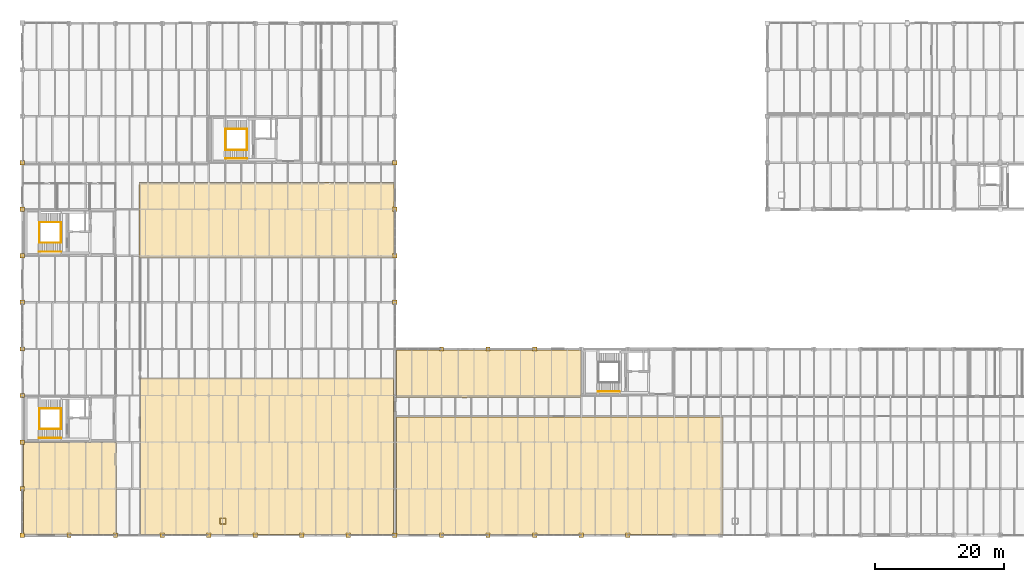
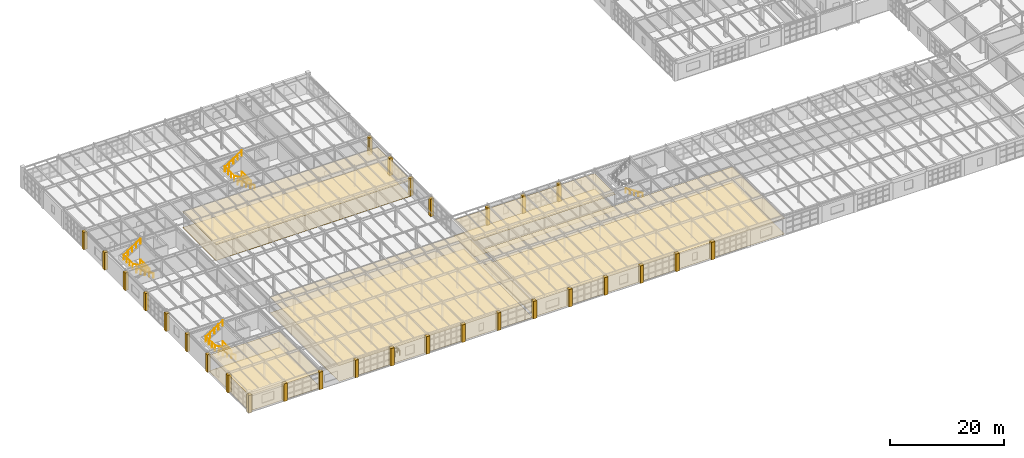
# One storey, part 134 of 137: 39 coverings, 11 railings.
"""IFC4 building model written with IfcOpenShell, lengths in metres."""

from ifc_helpers import new_model, si_unit, direction, frame, origin, origin_2d, place, context, subcontext, project, spatial, polyline, circle, outline, extrude, material, layer, layer_set, type_object, element, save


model = new_model("IFC4")

# Units and contexts
model_context = context("Model", 3, precision=1e-05, world=origin(), true_north=direction((0.0, 1.0)))
body_context = subcontext(model_context, "Body", "Model", "MODEL_VIEW")
ifc_project = project(units=[si_unit("LENGTHUNIT", "METRE"), si_unit("AREAUNIT", "SQUARE_METRE"), si_unit("VOLUMEUNIT", "CUBIC_METRE"), si_unit("PLANEANGLEUNIT", "RADIAN"), si_unit("MASSUNIT", "GRAM", prefix="KILO")], contexts=[model_context])

# Site, building, storey
site_placement = place(None, origin())
site = spatial("IfcSite", under=ifc_project, at=site_placement, CompositionType="ELEMENT")
building_placement = place(site_placement, origin())
building = spatial("IfcBuilding", under=site, at=building_placement, Name="Kemerveld Promenade Tramway Depot", CompositionType="ELEMENT")
storey_placement = place(building_placement, frame((0.0, 0.0, 5.39990234375)))
storey = spatial("IfcBuildingStorey", under=building, at=storey_placement, Name="L01", CompositionType="ELEMENT", Elevation=5.39990234375)

# Coverings
ifc_material_1 = material(Name="Perforated mineral-fibre acoustic ceiling")
ifc_layer_1 = layer(ifc_material_1, 0.02490234375)
ifc_layer_set_1 = layer_set([ifc_layer_1], Name="COV-CEIL-AC")
covering_type_1 = type_object("IfcCoveringType", Name="COV-CEIL-AC", PredefinedType="CEILING", material=ifc_layer_set_1)
covering_1_placement = place(storey_placement, frame((0.0, 0.0, 3.35498046875)))
element("IfcCovering", 1, at=covering_1_placement, inside=storey, type_object=covering_type_1, Name="CEIL-RM-L01-V4-GAL1", PredefinedType="CEILING", context=body_context, shape_type="SweptSolid", body=[
    extrude(outline(polyline([(57.824951171875, 0.14990234375), (108.35009765625, 0.14990234375), (108.35009765625, 18.320068359375), (57.824951171875, 18.320068359375), (57.824951171875, 0.14990234375)])), origin(), (0.0, 0.0, 1.0), 0.025146484375),
])
covering_2_placement = place(storey_placement, frame((0.0, 0.0, 3.35498046875)))
element("IfcCovering", 2, at=covering_2_placement, inside=storey, type_object=covering_type_1, Name="CEIL-RM-L01-V4-EDU", PredefinedType="CEILING", context=body_context, shape_type="SweptSolid", body=[
    extrude(outline(polyline([(57.824951171875, 21.25), (86.35009765625, 21.25), (86.35009765625, 28.64990234375), (57.824951171875, 28.64990234375), (57.824951171875, 21.25)])), origin(), (0.0, 0.0, 1.0), 0.025146484375),
])
covering_3_placement = place(storey_placement, frame((0.0, 0.0, 3.35498046875)))
element("IfcCovering", 3, at=covering_3_placement, inside=storey, type_object=covering_type_1, Name="CEIL-RM-L01-V5-CANT", PredefinedType="CEILING", context=body_context, shape_type="SweptSolid", body=[
    extrude(outline(polyline([(18.264892578125, 0.14990234375), (57.375, 0.14990234375), (57.375, 24.35009765625), (18.264892578125, 24.35009765625), (18.264892578125, 0.14990234375)])), origin(), (0.0, 0.0, 1.0), 0.025146484375),
])
covering_4_placement = place(storey_placement, frame((0.0, 0.0, 3.35498046875)))
element("IfcCovering", 4, at=covering_4_placement, inside=storey, type_object=covering_type_1, Name="CEIL-RM-L01-V5-CKIT", PredefinedType="CEILING", context=body_context, shape_type="SweptSolid", body=[
    extrude(outline(polyline([(0.14990234375, 0.14990234375), (14.550048828125, 0.14990234375), (14.550048828125, 14.35009765625), (0.14990234375, 14.35009765625), (0.14990234375, 0.14990234375)])), origin(), (0.0, 0.0, 1.0), 0.025146484375),
])
covering_5_placement = place(storey_placement, frame((0.0, 0.0, 3.35498046875)))
element("IfcCovering", 5, at=covering_5_placement, inside=storey, type_object=covering_type_1, Name="CEIL-RM-L01-V5-SCHED", PredefinedType="CEILING", context=body_context, shape_type="SweptSolid", body=[
    extrude(outline(polyline([(18.050048828125, 42.85009765625), (57.449951171875, 42.85009765625), (57.449951171875, 54.550048828125), (18.050048828125, 54.550048828125), (18.050048828125, 42.85009765625)])), origin(), (0.0, 0.0, 1.0), 0.025146484375),
])
ifc_material_2 = material(Name="Dressed Harare granite ashlar cladding", Category="masonry")
ifc_layer_2 = layer(ifc_material_2, 0.050048828125)
ifc_layer_set_2 = layer_set([ifc_layer_2], Name="COV-CLAD-GRAN")
covering_type_2 = type_object("IfcCoveringType", Name="COV-CLAD-GRAN", PredefinedType="CLADDING", material=ifc_layer_set_2)
covering_6_placement = place(storey_placement, origin())
element("IfcCovering", 6, at=covering_6_placement, inside=storey, type_object=covering_type_2, Name="CLAD-PIER-L01-189", PredefinedType="CLADDING", context=body_context, shape_type="SweptSolid", body=[
    extrude(outline(polyline([(-0.340087890625, 6.860107421875), (0.340087890625, 6.860107421875), (0.340087890625, 7.5400390625), (-0.340087890625, 7.5400390625), (-0.340087890625, 6.860107421875)])), origin(), (0.0, 0.0, 1.0), 3.75),
])
covering_7_placement = place(storey_placement, origin())
element("IfcCovering", 7, at=covering_7_placement, inside=storey, type_object=covering_type_2, Name="CLAD-PIER-L01-190", PredefinedType="CLADDING", context=body_context, shape_type="SweptSolid", body=[
    extrude(outline(polyline([(-0.340087890625, 14.06005859375), (0.340087890625, 14.06005859375), (0.340087890625, 14.739990234375), (-0.340087890625, 14.739990234375), (-0.340087890625, 14.06005859375)])), origin(), (0.0, 0.0, 1.0), 3.75),
])
covering_8_placement = place(storey_placement, origin())
element("IfcCovering", 8, at=covering_8_placement, inside=storey, type_object=covering_type_2, Name="CLAD-PIER-L01-191", PredefinedType="CLADDING", context=body_context, shape_type="SweptSolid", body=[
    extrude(outline(polyline([(-0.340087890625, 21.260009765625), (0.340087890625, 21.260009765625), (0.340087890625, 21.93994140625), (-0.340087890625, 21.93994140625), (-0.340087890625, 21.260009765625)])), origin(), (0.0, 0.0, 1.0), 3.75),
])
covering_9_placement = place(storey_placement, origin())
element("IfcCovering", 9, at=covering_9_placement, inside=storey, type_object=covering_type_2, Name="CLAD-PIER-L01-192", PredefinedType="CLADDING", context=body_context, shape_type="SweptSolid", body=[
    extrude(outline(polyline([(-0.340087890625, 28.4599609375), (0.340087890625, 28.4599609375), (0.340087890625, 29.139892578125), (-0.340087890625, 29.139892578125), (-0.340087890625, 28.4599609375)])), origin(), (0.0, 0.0, 1.0), 3.75),
])
covering_10_placement = place(storey_placement, origin())
element("IfcCovering", 10, at=covering_10_placement, inside=storey, type_object=covering_type_2, Name="CLAD-PIER-L01-193", PredefinedType="CLADDING", context=body_context, shape_type="SweptSolid", body=[
    extrude(outline(polyline([(-0.340087890625, 35.659912109375), (0.340087890625, 35.659912109375), (0.340087890625, 36.340087890625), (-0.340087890625, 36.340087890625), (-0.340087890625, 35.659912109375)])), origin(), (0.0, 0.0, 1.0), 3.75),
])
covering_11_placement = place(storey_placement, origin())
element("IfcCovering", 11, at=covering_11_placement, inside=storey, type_object=covering_type_2, Name="CLAD-PIER-L01-194", PredefinedType="CLADDING", context=body_context, shape_type="SweptSolid", body=[
    extrude(outline(polyline([(-0.340087890625, 42.860107421875), (0.340087890625, 42.860107421875), (0.340087890625, 43.5400390625), (-0.340087890625, 43.5400390625), (-0.340087890625, 42.860107421875)])), origin(), (0.0, 0.0, 1.0), 3.75),
])
covering_12_placement = place(storey_placement, origin())
element("IfcCovering", 12, at=covering_12_placement, inside=storey, type_object=covering_type_2, Name="CLAD-PIER-L01-195", PredefinedType="CLADDING", context=body_context, shape_type="SweptSolid", body=[
    extrude(outline(polyline([(-0.340087890625, 50.06005859375), (0.340087890625, 50.06005859375), (0.340087890625, 50.739990234375), (-0.340087890625, 50.739990234375), (-0.340087890625, 50.06005859375)])), origin(), (0.0, 0.0, 1.0), 3.75),
])
covering_13_placement = place(storey_placement, origin())
element("IfcCovering", 13, at=covering_13_placement, inside=storey, type_object=covering_type_2, Name="CLAD-PIER-L01-196", PredefinedType="CLADDING", context=body_context, shape_type="SweptSolid", body=[
    extrude(outline(polyline([(-0.340087890625, 57.260009765625), (0.340087890625, 57.260009765625), (0.340087890625, 57.93994140625), (-0.340087890625, 57.93994140625), (-0.340087890625, 57.260009765625)])), origin(), (0.0, 0.0, 1.0), 3.75),
])
covering_14_placement = place(storey_placement, origin())
element("IfcCovering", 14, at=covering_14_placement, inside=storey, type_object=covering_type_2, Name="CLAD-PIER-L01-209", PredefinedType="CLADDING", context=body_context, shape_type="SweptSolid", body=[
    extrude(outline(polyline([(57.260009765625, 57.260009765625), (57.93994140625, 57.260009765625), (57.93994140625, 57.93994140625), (57.260009765625, 57.93994140625), (57.260009765625, 57.260009765625)])), origin(), (0.0, 0.0, 1.0), 3.75),
])
covering_15_placement = place(storey_placement, origin())
element("IfcCovering", 15, at=covering_15_placement, inside=storey, type_object=covering_type_2, Name="CLAD-PIER-L01-210", PredefinedType="CLADDING", context=body_context, shape_type="SweptSolid", body=[
    extrude(outline(polyline([(57.260009765625, 50.06005859375), (57.93994140625, 50.06005859375), (57.93994140625, 50.739990234375), (57.260009765625, 50.739990234375), (57.260009765625, 50.06005859375)])), origin(), (0.0, 0.0, 1.0), 3.75),
])
covering_16_placement = place(storey_placement, origin())
element("IfcCovering", 16, at=covering_16_placement, inside=storey, type_object=covering_type_2, Name="CLAD-PIER-L01-211", PredefinedType="CLADDING", context=body_context, shape_type="SweptSolid", body=[
    extrude(outline(polyline([(57.260009765625, 42.860107421875), (57.93994140625, 42.860107421875), (57.93994140625, 43.5400390625), (57.260009765625, 43.5400390625), (57.260009765625, 42.860107421875)])), origin(), (0.0, 0.0, 1.0), 3.75),
])
covering_17_placement = place(storey_placement, origin())
element("IfcCovering", 17, at=covering_17_placement, inside=storey, type_object=covering_type_2, Name="CLAD-PIER-L01-212", PredefinedType="CLADDING", context=body_context, shape_type="SweptSolid", body=[
    extrude(outline(polyline([(57.260009765625, 35.659912109375), (57.93994140625, 35.659912109375), (57.93994140625, 36.340087890625), (57.260009765625, 36.340087890625), (57.260009765625, 35.659912109375)])), origin(), (0.0, 0.0, 1.0), 3.75),
])
covering_18_placement = place(storey_placement, origin())
element("IfcCovering", 18, at=covering_18_placement, inside=storey, type_object=covering_type_2, Name="CLAD-PIER-L01-213", PredefinedType="CLADDING", context=body_context, shape_type="SweptSolid", body=[
    extrude(outline(polyline([(50.06005859375, -0.340087890625), (50.739990234375, -0.340087890625), (50.739990234375, 0.340087890625), (50.06005859375, 0.340087890625), (50.06005859375, -0.340087890625)])), origin(), (0.0, 0.0, 1.0), 3.75),
])
covering_19_placement = place(storey_placement, origin())
element("IfcCovering", 19, at=covering_19_placement, inside=storey, type_object=covering_type_2, Name="CLAD-PIER-L01-214", PredefinedType="CLADDING", context=body_context, shape_type="SweptSolid", body=[
    extrude(outline(polyline([(42.860107421875, -0.340087890625), (43.5400390625, -0.340087890625), (43.5400390625, 0.340087890625), (42.860107421875, 0.340087890625), (42.860107421875, -0.340087890625)])), origin(), (0.0, 0.0, 1.0), 3.75),
])
covering_20_placement = place(storey_placement, origin())
element("IfcCovering", 20, at=covering_20_placement, inside=storey, type_object=covering_type_2, Name="CLAD-PIER-L01-215", PredefinedType="CLADDING", context=body_context, shape_type="SweptSolid", body=[
    extrude(outline(polyline([(35.659912109375, -0.340087890625), (36.340087890625, -0.340087890625), (36.340087890625, 0.340087890625), (35.659912109375, 0.340087890625), (35.659912109375, -0.340087890625)])), origin(), (0.0, 0.0, 1.0), 3.75),
])
covering_21_placement = place(storey_placement, origin())
element("IfcCovering", 21, at=covering_21_placement, inside=storey, type_object=covering_type_2, Name="CLAD-PIER-L01-216", PredefinedType="CLADDING", context=body_context, shape_type="SweptSolid", body=[
    extrude(outline(polyline([(28.4599609375, -0.340087890625), (29.139892578125, -0.340087890625), (29.139892578125, 0.340087890625), (28.4599609375, 0.340087890625), (28.4599609375, -0.340087890625)])), origin(), (0.0, 0.0, 1.0), 3.75),
])
covering_22_placement = place(storey_placement, origin())
element("IfcCovering", 22, at=covering_22_placement, inside=storey, type_object=covering_type_2, Name="CLAD-PIER-L01-217", PredefinedType="CLADDING", context=body_context, shape_type="SweptSolid", body=[
    extrude(outline(polyline([(21.260009765625, -0.340087890625), (21.93994140625, -0.340087890625), (21.93994140625, 0.340087890625), (21.260009765625, 0.340087890625), (21.260009765625, -0.340087890625)])), origin(), (0.0, 0.0, 1.0), 3.75),
])
covering_23_placement = place(storey_placement, origin())
element("IfcCovering", 23, at=covering_23_placement, inside=storey, type_object=covering_type_2, Name="CLAD-PIER-L01-218", PredefinedType="CLADDING", context=body_context, shape_type="SweptSolid", body=[
    extrude(outline(polyline([(14.06005859375, -0.340087890625), (14.739990234375, -0.340087890625), (14.739990234375, 0.340087890625), (14.06005859375, 0.340087890625), (14.06005859375, -0.340087890625)])), origin(), (0.0, 0.0, 1.0), 3.75),
])
covering_24_placement = place(storey_placement, origin())
element("IfcCovering", 24, at=covering_24_placement, inside=storey, type_object=covering_type_2, Name="CLAD-PIER-L01-219", PredefinedType="CLADDING", context=body_context, shape_type="SweptSolid", body=[
    extrude(outline(polyline([(6.860107421875, -0.340087890625), (7.5400390625, -0.340087890625), (7.5400390625, 0.340087890625), (6.860107421875, 0.340087890625), (6.860107421875, -0.340087890625)])), origin(), (0.0, 0.0, 1.0), 3.75),
])
covering_25_placement = place(storey_placement, origin())
element("IfcCovering", 25, at=covering_25_placement, inside=storey, type_object=covering_type_2, Name="CLAD-PIER-L01-220", PredefinedType="CLADDING", context=body_context, shape_type="SweptSolid", body=[
    extrude(outline(polyline([(-0.340087890625, -0.340087890625), (0.340087890625, -0.340087890625), (0.340087890625, 0.340087890625), (-0.340087890625, 0.340087890625), (-0.340087890625, -0.340087890625)])), origin(), (0.0, 0.0, 1.0), 3.75),
])
covering_26_placement = place(storey_placement, origin())
element("IfcCovering", 26, at=covering_26_placement, inside=storey, type_object=covering_type_2, Name="CLAD-PIER-L01-229", PredefinedType="CLADDING", context=body_context, shape_type="SweptSolid", body=[
    extrude(outline(polyline([(93.260009765625, -0.340087890625), (93.93994140625, -0.340087890625), (93.93994140625, 0.340087890625), (93.260009765625, 0.340087890625), (93.260009765625, -0.340087890625)])), origin(), (0.0, 0.0, 1.0), 3.75),
])
covering_27_placement = place(storey_placement, origin())
element("IfcCovering", 27, at=covering_27_placement, inside=storey, type_object=covering_type_2, Name="CLAD-PIER-L01-230", PredefinedType="CLADDING", context=body_context, shape_type="SweptSolid", body=[
    extrude(outline(polyline([(86.06005859375, -0.340087890625), (86.739990234375, -0.340087890625), (86.739990234375, 0.340087890625), (86.06005859375, 0.340087890625), (86.06005859375, -0.340087890625)])), origin(), (0.0, 0.0, 1.0), 3.75),
])
covering_28_placement = place(storey_placement, origin())
element("IfcCovering", 28, at=covering_28_placement, inside=storey, type_object=covering_type_2, Name="CLAD-PIER-L01-231", PredefinedType="CLADDING", context=body_context, shape_type="SweptSolid", body=[
    extrude(outline(polyline([(78.860107421875, -0.340087890625), (79.5400390625, -0.340087890625), (79.5400390625, 0.340087890625), (78.860107421875, 0.340087890625), (78.860107421875, -0.340087890625)])), origin(), (0.0, 0.0, 1.0), 3.75),
])
covering_29_placement = place(storey_placement, origin())
element("IfcCovering", 29, at=covering_29_placement, inside=storey, type_object=covering_type_2, Name="CLAD-PIER-L01-232", PredefinedType="CLADDING", context=body_context, shape_type="SweptSolid", body=[
    extrude(outline(polyline([(71.659912109375, -0.340087890625), (72.340087890625, -0.340087890625), (72.340087890625, 0.340087890625), (71.659912109375, 0.340087890625), (71.659912109375, -0.340087890625)])), origin(), (0.0, 0.0, 1.0), 3.75),
])
covering_30_placement = place(storey_placement, origin())
element("IfcCovering", 30, at=covering_30_placement, inside=storey, type_object=covering_type_2, Name="CLAD-PIER-L01-233", PredefinedType="CLADDING", context=body_context, shape_type="SweptSolid", body=[
    extrude(outline(polyline([(64.4599609375, -0.340087890625), (65.139892578125, -0.340087890625), (65.139892578125, 0.340087890625), (64.4599609375, 0.340087890625), (64.4599609375, -0.340087890625)])), origin(), (0.0, 0.0, 1.0), 3.75),
])
covering_31_placement = place(storey_placement, origin())
element("IfcCovering", 31, at=covering_31_placement, inside=storey, type_object=covering_type_2, Name="CLAD-PIER-L01-234", PredefinedType="CLADDING", context=body_context, shape_type="SweptSolid", body=[
    extrude(outline(polyline([(57.260009765625, -0.340087890625), (57.93994140625, -0.340087890625), (57.93994140625, 0.340087890625), (57.260009765625, 0.340087890625), (57.260009765625, -0.340087890625)])), origin(), (0.0, 0.0, 1.0), 3.75),
])
covering_32_placement = place(storey_placement, origin())
element("IfcCovering", 32, at=covering_32_placement, inside=storey, type_object=covering_type_2, Name="CLAD-PIER-L01-235", PredefinedType="CLADDING", context=body_context, shape_type="SweptSolid", body=[
    extrude(outline(polyline([(64.4599609375, 28.4599609375), (65.139892578125, 28.4599609375), (65.139892578125, 29.139892578125), (64.4599609375, 29.139892578125), (64.4599609375, 28.4599609375)])), origin(), (0.0, 0.0, 1.0), 3.75),
])
covering_33_placement = place(storey_placement, origin())
element("IfcCovering", 33, at=covering_33_placement, inside=storey, type_object=covering_type_2, Name="CLAD-PIER-L01-236", PredefinedType="CLADDING", context=body_context, shape_type="SweptSolid", body=[
    extrude(outline(polyline([(71.659912109375, 28.4599609375), (72.340087890625, 28.4599609375), (72.340087890625, 29.139892578125), (71.659912109375, 29.139892578125), (71.659912109375, 28.4599609375)])), origin(), (0.0, 0.0, 1.0), 3.75),
])
covering_34_placement = place(storey_placement, origin())
element("IfcCovering", 34, at=covering_34_placement, inside=storey, type_object=covering_type_2, Name="CLAD-PIER-L01-237", PredefinedType="CLADDING", context=body_context, shape_type="SweptSolid", body=[
    extrude(outline(polyline([(78.860107421875, 28.4599609375), (79.5400390625, 28.4599609375), (79.5400390625, 29.139892578125), (78.860107421875, 29.139892578125), (78.860107421875, 28.4599609375)])), origin(), (0.0, 0.0, 1.0), 3.75),
])
ifc_material_3 = material(Name="Honed Harare granite terrazzo flooring", Category="masonry")
ifc_layer_3 = layer(ifc_material_3, 0.02001953125)
ifc_layer_set_3 = layer_set([ifc_layer_3], Name="COV-FLR-TERR")
covering_type_3 = type_object("IfcCoveringType", Name="COV-FLR-TERR", PredefinedType="FLOORING", material=ifc_layer_set_3)
covering_35_placement = place(storey_placement, origin())
element("IfcCovering", 35, at=covering_35_placement, inside=storey, type_object=covering_type_3, Name="FLR-RM-L01-V4-GAL1", PredefinedType="FLOORING", context=body_context, shape_type="SweptSolid", body=[
    extrude(outline(polyline([(57.824951171875, 0.14990234375), (108.35009765625, 0.14990234375), (108.35009765625, 18.320068359375), (57.824951171875, 18.320068359375), (57.824951171875, 0.14990234375)])), origin(), (0.0, 0.0, 1.0), 0.02001953125),
])
covering_36_placement = place(storey_placement, origin())
element("IfcCovering", 36, at=covering_36_placement, inside=storey, type_object=covering_type_3, Name="FLR-RM-L01-V4-EDU", PredefinedType="FLOORING", context=body_context, shape_type="SweptSolid", body=[
    extrude(outline(polyline([(57.824951171875, 21.25), (86.35009765625, 21.25), (86.35009765625, 28.64990234375), (57.824951171875, 28.64990234375), (57.824951171875, 21.25)])), origin(), (0.0, 0.0, 1.0), 0.02001953125),
])
covering_37_placement = place(storey_placement, origin())
element("IfcCovering", 37, at=covering_37_placement, inside=storey, type_object=covering_type_3, Name="FLR-RM-L01-V5-CANT", PredefinedType="FLOORING", context=body_context, shape_type="SweptSolid", body=[
    extrude(outline(polyline([(18.264892578125, 0.14990234375), (57.375, 0.14990234375), (57.375, 24.35009765625), (18.264892578125, 24.35009765625), (18.264892578125, 0.14990234375)])), origin(), (0.0, 0.0, 1.0), 0.02001953125),
])
covering_38_placement = place(storey_placement, origin())
element("IfcCovering", 38, at=covering_38_placement, inside=storey, type_object=covering_type_3, Name="FLR-RM-L01-V5-CKIT", PredefinedType="FLOORING", context=body_context, shape_type="SweptSolid", body=[
    extrude(outline(polyline([(0.14990234375, 0.14990234375), (14.550048828125, 0.14990234375), (14.550048828125, 14.35009765625), (0.14990234375, 14.35009765625), (0.14990234375, 0.14990234375)])), origin(), (0.0, 0.0, 1.0), 0.02001953125),
])
covering_39_placement = place(storey_placement, origin())
element("IfcCovering", 39, at=covering_39_placement, inside=storey, type_object=covering_type_3, Name="FLR-RM-L01-V5-SCHED", PredefinedType="FLOORING", context=body_context, shape_type="SweptSolid", body=[
    extrude(outline(polyline([(18.050048828125, 42.85009765625), (57.449951171875, 42.85009765625), (57.449951171875, 54.550048828125), (18.050048828125, 54.550048828125), (18.050048828125, 42.85009765625)])), origin(), (0.0, 0.0, 1.0), 0.02001953125),
])

# Railings
ifc_material_4 = material(Name="Galvanised painted steel balustrade", Category="steel")
railing_type_1 = type_object("IfcRailingType", Name="RL-GRD-1100", PredefinedType="GUARDRAIL", material=ifc_material_4)
railing_1_placement = place(storey_placement, frame((5.97998046875, 16.4150390625, 0.0)))
element("IfcRailing", 40, at=railing_1_placement, inside=storey, type_object=railing_type_1, Name="RL-GRD-ST-01-L01", PredefinedType="GUARDRAIL", context=body_context, shape_type="SweptSolid", body=[
    extrude(circle(Radius=0.02392578125, at=origin_2d()), frame((0.0, 0.0, 1.09619140625), z_axis=(-0.833174834292, 0.0, 0.553009670352), x_axis=(0.0, -1.0, 0.0)), (0.0, 0.0, 1.0), 4.068603515625),
    extrude(circle(Radius=0.02392578125, at=origin_2d()), frame((-3.389892578125, 0.0, 3.34619140625), z_axis=(0.0, 1.0, 0.0), x_axis=(-1.0, 0.0, 0.0)), (0.0, 0.0, 1.0), 3.169921875),
    extrude(circle(Radius=0.02392578125, at=origin_2d()), frame((-3.389892578125, 3.169921875, 3.34619140625), z_axis=(0.833174834292, 0.0, 0.553009670352), x_axis=(0.0, 1.0, 0.0)), (0.0, 0.0, 1.0), 4.068603515625),
    extrude(circle(Radius=0.02099609375, at=origin_2d()), origin(), (0.0, 0.0, 1.0), 1.072021484375),
    extrude(circle(Radius=0.02099609375, at=origin_2d()), frame((-0.847412109375, 0.0, 0.5625)), (0.0, 0.0, 1.0), 1.072021484375),
    extrude(circle(Radius=0.02099609375, at=origin_2d()), frame((-1.69482421875, 0.0, 1.125)), (0.0, 0.0, 1.0), 1.072021484375),
    extrude(circle(Radius=0.02099609375, at=origin_2d()), frame((-2.54248046875, 0.0, 1.6875)), (0.0, 0.0, 1.0), 1.072021484375),
    extrude(circle(Radius=0.02099609375, at=origin_2d()), frame((-3.389892578125, 0.0, 2.25)), (0.0, 0.0, 1.0), 1.072021484375),
    extrude(circle(Radius=0.02099609375, at=origin_2d()), frame((-3.389892578125, 1.056640625, 2.25)), (0.0, 0.0, 1.0), 1.072021484375),
    extrude(circle(Radius=0.02099609375, at=origin_2d()), frame((-3.389892578125, 2.11328125, 2.25)), (0.0, 0.0, 1.0), 1.072021484375),
    extrude(circle(Radius=0.02099609375, at=origin_2d()), frame((-3.389892578125, 3.169921875, 2.25)), (0.0, 0.0, 1.0), 1.072021484375),
    extrude(circle(Radius=0.02099609375, at=origin_2d()), frame((-2.54248046875, 3.169921875, 2.8125)), (0.0, 0.0, 1.0), 1.072021484375),
    extrude(circle(Radius=0.02099609375, at=origin_2d()), frame((-1.69482421875, 3.169921875, 3.375)), (0.0, 0.0, 1.0), 1.072021484375),
    extrude(circle(Radius=0.02099609375, at=origin_2d()), frame((-0.847412109375, 3.169921875, 3.9375)), (0.0, 0.0, 1.0), 1.072021484375),
    extrude(circle(Radius=0.02099609375, at=origin_2d()), frame((0.0, 3.169921875, 4.5)), (0.0, 0.0, 1.0), 1.072021484375),
])
railing_2_placement = place(storey_placement, frame((5.949951171875, 16.425048828125, 0.0)))
element("IfcRailing", 41, at=railing_2_placement, inside=storey, type_object=railing_type_1, Name="RL-SLOT-C1-L01", PredefinedType="GUARDRAIL", context=body_context, shape_type="SweptSolid", body=[
    extrude(circle(Radius=0.02392578125, at=origin_2d()), frame((0.0, 0.0, 1.09619140625), z_axis=(0.0, 1.0, 0.0), x_axis=(-1.0, 0.0, 0.0)), (0.0, 0.0, 1.0), 3.14990234375),
    extrude(circle(Radius=0.02099609375, at=origin_2d()), origin(), (0.0, 0.0, 1.0), 1.072021484375),
    extrude(circle(Radius=0.02099609375, at=origin_2d()), frame((0.0, 1.050048828125, 0.0)), (0.0, 0.0, 1.0), 1.072021484375),
    extrude(circle(Radius=0.02099609375, at=origin_2d()), frame((0.0, 2.099853515625, 0.0)), (0.0, 0.0, 1.0), 1.072021484375),
    extrude(circle(Radius=0.02099609375, at=origin_2d()), frame((0.0, 3.14990234375, 0.0)), (0.0, 0.0, 1.0), 1.072021484375),
])
railing_3_placement = place(storey_placement, frame((5.97998046875, 45.215087890625, 0.0)))
element("IfcRailing", 42, at=railing_3_placement, inside=storey, type_object=railing_type_1, Name="RL-GRD-ST-02-L01", PredefinedType="GUARDRAIL", context=body_context, shape_type="SweptSolid", body=[
    extrude(circle(Radius=0.02392578125, at=origin_2d()), frame((0.0, 0.0, 1.09619140625), z_axis=(-0.833174834292, 0.0, 0.553009670352), x_axis=(0.0, -1.0, 0.0)), (0.0, 0.0, 1.0), 4.068603515625),
    extrude(circle(Radius=0.02392578125, at=origin_2d()), frame((-3.389892578125, 0.0, 3.34619140625), z_axis=(0.0, 1.0, 0.0), x_axis=(-1.0, 0.0, 0.0)), (0.0, 0.0, 1.0), 3.169921875),
    extrude(circle(Radius=0.02392578125, at=origin_2d()), frame((-3.389892578125, 3.169921875, 3.34619140625), z_axis=(0.833174834292, 0.0, 0.553009670352), x_axis=(0.0, 1.0, 0.0)), (0.0, 0.0, 1.0), 4.068603515625),
    extrude(circle(Radius=0.02099609375, at=origin_2d()), origin(), (0.0, 0.0, 1.0), 1.072021484375),
    extrude(circle(Radius=0.02099609375, at=origin_2d()), frame((-0.847412109375, 0.0, 0.5625)), (0.0, 0.0, 1.0), 1.072021484375),
    extrude(circle(Radius=0.02099609375, at=origin_2d()), frame((-1.69482421875, 0.0, 1.125)), (0.0, 0.0, 1.0), 1.072021484375),
    extrude(circle(Radius=0.02099609375, at=origin_2d()), frame((-2.54248046875, 0.0, 1.6875)), (0.0, 0.0, 1.0), 1.072021484375),
    extrude(circle(Radius=0.02099609375, at=origin_2d()), frame((-3.389892578125, 0.0, 2.25)), (0.0, 0.0, 1.0), 1.072021484375),
    extrude(circle(Radius=0.02099609375, at=origin_2d()), frame((-3.389892578125, 1.056640625, 2.25)), (0.0, 0.0, 1.0), 1.072021484375),
    extrude(circle(Radius=0.02099609375, at=origin_2d()), frame((-3.389892578125, 2.11328125, 2.25)), (0.0, 0.0, 1.0), 1.072021484375),
    extrude(circle(Radius=0.02099609375, at=origin_2d()), frame((-3.389892578125, 3.169921875, 2.25)), (0.0, 0.0, 1.0), 1.072021484375),
    extrude(circle(Radius=0.02099609375, at=origin_2d()), frame((-2.54248046875, 3.169921875, 2.8125)), (0.0, 0.0, 1.0), 1.072021484375),
    extrude(circle(Radius=0.02099609375, at=origin_2d()), frame((-1.69482421875, 3.169921875, 3.375)), (0.0, 0.0, 1.0), 1.072021484375),
    extrude(circle(Radius=0.02099609375, at=origin_2d()), frame((-0.847412109375, 3.169921875, 3.9375)), (0.0, 0.0, 1.0), 1.072021484375),
    extrude(circle(Radius=0.02099609375, at=origin_2d()), frame((0.0, 3.169921875, 4.5)), (0.0, 0.0, 1.0), 1.072021484375),
])
railing_4_placement = place(storey_placement, frame((5.949951171875, 45.22509765625, 0.0)))
element("IfcRailing", 43, at=railing_4_placement, inside=storey, type_object=railing_type_1, Name="RL-SLOT-C2-L01", PredefinedType="GUARDRAIL", context=body_context, shape_type="SweptSolid", body=[
    extrude(circle(Radius=0.02392578125, at=origin_2d()), frame((0.0, 0.0, 1.09619140625), z_axis=(0.0, 1.0, 0.0), x_axis=(-1.0, 0.0, 0.0)), (0.0, 0.0, 1.0), 3.14990234375),
    extrude(circle(Radius=0.02099609375, at=origin_2d()), origin(), (0.0, 0.0, 1.0), 1.072021484375),
    extrude(circle(Radius=0.02099609375, at=origin_2d()), frame((0.0, 1.050048828125, 0.0)), (0.0, 0.0, 1.0), 1.072021484375),
    extrude(circle(Radius=0.02099609375, at=origin_2d()), frame((0.0, 2.099853515625, 0.0)), (0.0, 0.0, 1.0), 1.072021484375),
    extrude(circle(Radius=0.02099609375, at=origin_2d()), frame((0.0, 3.14990234375, 0.0)), (0.0, 0.0, 1.0), 1.072021484375),
])
railing_5_placement = place(storey_placement, frame((34.780029296875, 59.590087890625, 0.0)))
element("IfcRailing", 44, at=railing_5_placement, inside=storey, type_object=railing_type_1, Name="RL-GRD-ST-03-L01", PredefinedType="GUARDRAIL", context=body_context, shape_type="SweptSolid", body=[
    extrude(circle(Radius=0.02392578125, at=origin_2d()), frame((0.0, 0.0, 1.09619140625), z_axis=(-0.833193183746, 0.0, 0.552982023722), x_axis=(0.0, -1.0, 0.0)), (0.0, 0.0, 1.0), 4.06884765625),
    extrude(circle(Radius=0.02392578125, at=origin_2d()), frame((-3.39013671875, 0.0, 3.34619140625), z_axis=(0.0, 1.0, 0.0), x_axis=(-1.0, 0.0, 0.0)), (0.0, 0.0, 1.0), 3.219970703125),
    extrude(circle(Radius=0.02392578125, at=origin_2d()), frame((-3.39013671875, 3.219970703125, 3.34619140625), z_axis=(0.833193183746, 0.0, 0.552982023722), x_axis=(0.0, 1.0, 0.0)), (0.0, 0.0, 1.0), 4.06884765625),
    extrude(circle(Radius=0.02099609375, at=origin_2d()), origin(), (0.0, 0.0, 1.0), 1.072021484375),
    extrude(circle(Radius=0.02099609375, at=origin_2d()), frame((-0.84765625, 0.0, 0.5625)), (0.0, 0.0, 1.0), 1.072021484375),
    extrude(circle(Radius=0.02099609375, at=origin_2d()), frame((-1.695068359375, 0.0, 1.125)), (0.0, 0.0, 1.0), 1.072021484375),
    extrude(circle(Radius=0.02099609375, at=origin_2d()), frame((-2.54248046875, 0.0, 1.6875)), (0.0, 0.0, 1.0), 1.072021484375),
    extrude(circle(Radius=0.02099609375, at=origin_2d()), frame((-3.39013671875, 0.0, 2.25)), (0.0, 0.0, 1.0), 1.072021484375),
    extrude(circle(Radius=0.02099609375, at=origin_2d()), frame((-3.39013671875, 1.0732421875, 2.25)), (0.0, 0.0, 1.0), 1.072021484375),
    extrude(circle(Radius=0.02099609375, at=origin_2d()), frame((-3.39013671875, 2.146728515625, 2.25)), (0.0, 0.0, 1.0), 1.072021484375),
    extrude(circle(Radius=0.02099609375, at=origin_2d()), frame((-3.39013671875, 3.219970703125, 2.25)), (0.0, 0.0, 1.0), 1.072021484375),
    extrude(circle(Radius=0.02099609375, at=origin_2d()), frame((-2.54248046875, 3.219970703125, 2.8125)), (0.0, 0.0, 1.0), 1.072021484375),
    extrude(circle(Radius=0.02099609375, at=origin_2d()), frame((-1.695068359375, 3.219970703125, 3.375)), (0.0, 0.0, 1.0), 1.072021484375),
    extrude(circle(Radius=0.02099609375, at=origin_2d()), frame((-0.84765625, 3.219970703125, 3.9375)), (0.0, 0.0, 1.0), 1.072021484375),
    extrude(circle(Radius=0.02099609375, at=origin_2d()), frame((0.0, 3.219970703125, 4.5)), (0.0, 0.0, 1.0), 1.072021484375),
])
railing_6_placement = place(storey_placement, frame((34.75, 59.60009765625, 0.0)))
element("IfcRailing", 45, at=railing_6_placement, inside=storey, type_object=railing_type_1, Name="RL-SLOT-C3-L01", PredefinedType="GUARDRAIL", context=body_context, shape_type="SweptSolid", body=[
    extrude(circle(Radius=0.02392578125, at=origin_2d()), frame((0.0, 0.0, 1.09619140625), z_axis=(0.0, 1.0, 0.0), x_axis=(-1.0, 0.0, 0.0)), (0.0, 0.0, 1.0), 3.199951171875),
    extrude(circle(Radius=0.02099609375, at=origin_2d()), origin(), (0.0, 0.0, 1.0), 1.072021484375),
    extrude(circle(Radius=0.02099609375, at=origin_2d()), frame((0.0, 1.066650390625, 0.0)), (0.0, 0.0, 1.0), 1.072021484375),
    extrude(circle(Radius=0.02099609375, at=origin_2d()), frame((0.0, 2.13330078125, 0.0)), (0.0, 0.0, 1.0), 1.072021484375),
    extrude(circle(Radius=0.02099609375, at=origin_2d()), frame((0.0, 3.199951171875, 0.0)), (0.0, 0.0, 1.0), 1.072021484375),
])
railing_7_placement = place(storey_placement, frame((30.56005859375, 1.760009765625, 0.0)))
element("IfcRailing", 46, at=railing_7_placement, inside=storey, type_object=railing_type_1, Name="RL-DUCT-L01-01", PredefinedType="GUARDRAIL", context=body_context, shape_type="SweptSolid", body=[
    extrude(circle(Radius=0.02392578125, at=origin_2d()), frame((0.0, 0.0, 1.09619140625), z_axis=(1.0, 0.0, 0.0), x_axis=(0.0, 1.0, 0.0)), (0.0, 0.0, 1.0), 0.8798828125),
    extrude(circle(Radius=0.02392578125, at=origin_2d()), frame((0.8798828125, 0.0, 1.09619140625), z_axis=(0.0, 1.0, 0.0), x_axis=(-1.0, 0.0, 0.0)), (0.0, 0.0, 1.0), 0.8798828125),
    extrude(circle(Radius=0.02392578125, at=origin_2d()), frame((0.8798828125, 0.8798828125, 1.09619140625), z_axis=(-1.0, 0.0, 0.0), x_axis=(0.0, -1.0, 0.0)), (0.0, 0.0, 1.0), 0.8798828125),
    extrude(circle(Radius=0.02392578125, at=origin_2d()), frame((0.0, 0.8798828125, 1.09619140625), z_axis=(0.0, -1.0, 0.0), x_axis=(1.0, 0.0, 0.0)), (0.0, 0.0, 1.0), 0.81982421875),
    extrude(circle(Radius=0.02099609375, at=origin_2d()), origin(), (0.0, 0.0, 1.0), 1.072021484375),
    extrude(circle(Radius=0.02099609375, at=origin_2d()), frame((0.8798828125, 0.0, 0.0)), (0.0, 0.0, 1.0), 1.072021484375),
    extrude(circle(Radius=0.02099609375, at=origin_2d()), frame((0.8798828125, 0.8798828125, 0.0)), (0.0, 0.0, 1.0), 1.072021484375),
    extrude(circle(Radius=0.02099609375, at=origin_2d()), frame((0.0, 0.8798828125, 0.0)), (0.0, 0.0, 1.0), 1.072021484375),
    extrude(circle(Radius=0.02099609375, at=origin_2d()), frame((0.0, 0.06005859375, 0.0)), (0.0, 0.0, 1.0), 1.072021484375),
])
ifc_material_5 = material(Name="Brushed stainless steel tubular handrail", Category="steel")
railing_type_2 = type_object("IfcRailingType", Name="RL-HR-920", PredefinedType="HANDRAIL", material=ifc_material_5)
for number, where, name in (
    (47, (5.97998046875, 15.044921875, 0.0), "RL-HR-ST-01-L01"),
    (48, (5.97998046875, 43.844970703125, 0.0), "RL-HR-ST-02-L01"),
    (49, (34.780029296875, 58.27001953125, 0.0), "RL-HR-ST-03-L01"),
    (50, (92.3798828125, 22.2451171875, 0.0), "RL-HR-ST-04-L01"),
):
    element("IfcRailing", number, at=place(storey_placement, frame(where)), inside=storey, type_object=railing_type_2, Name=name, PredefinedType="HANDRAIL", context=body_context, shape_type="SweptSolid", body=[
        extrude(circle(Radius=0.02392578125, at=origin_2d()), frame((0.0, 0.0, 0.89599609375), z_axis=(-0.835411317272, 0.0, 0.549625264133), x_axis=(0.0, -1.0, 0.0)), (0.0, 0.0, 1.0), 4.09375),
        extrude(circle(Radius=0.02099609375, at=origin_2d()), origin(), (0.0, 0.0, 1.0), 0.871826171875),
        extrude(circle(Radius=0.02099609375, at=origin_2d()), frame((-0.85498046875, 0.0, 0.5625)), (0.0, 0.0, 1.0), 0.871826171875),
        extrude(circle(Radius=0.02099609375, at=origin_2d()), frame((-1.7099609375, 0.0, 1.125)), (0.0, 0.0, 1.0), 0.871826171875),
        extrude(circle(Radius=0.02099609375, at=origin_2d()), frame((-2.56494140625, 0.0, 1.6875)), (0.0, 0.0, 1.0), 0.871826171875),
        extrude(circle(Radius=0.02099609375, at=origin_2d()), frame((-3.419921875, 0.0, 2.25)), (0.0, 0.0, 1.0), 0.871826171875),
    ])

save(model, "model.ifc")
